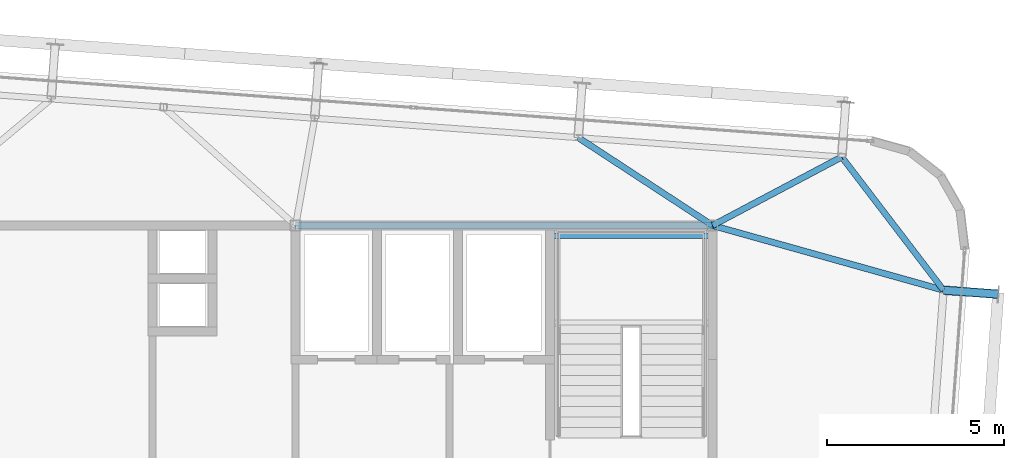
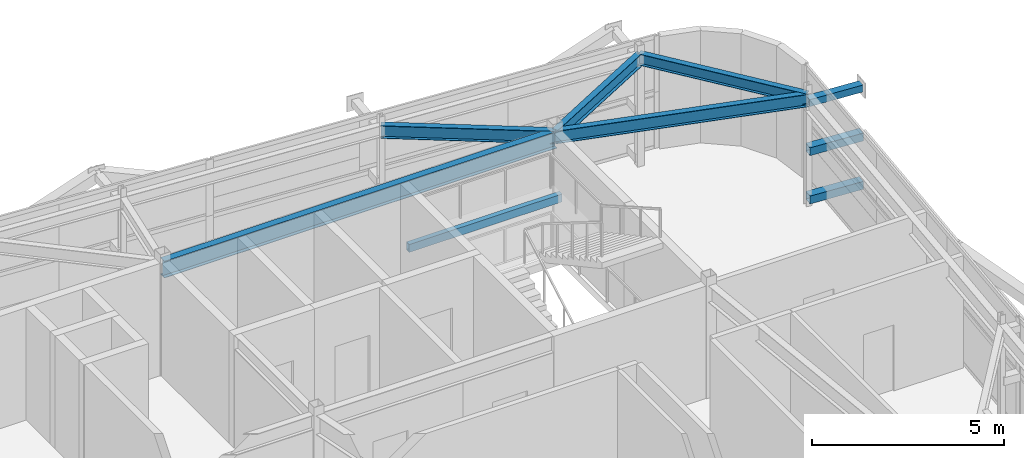
# One storey, part 18 of 35: 6 beams, 3 members.
"""IFC4 building model written with IfcOpenShell, lengths in metres."""

from ifc_helpers import new_model, si_unit, direction, frame, origin, origin_2d, place, context, subcontext, project, spatial, hollow_rectangle, i_section, extrude, source, transform, mapped, material, material_profile, profile_set, type_object, element, save


model = new_model("IFC4")

# Units and contexts
model_context = context("Model", 3, precision=1e-05, world=origin(), true_north=direction((0.0, 1.0)))
body_context = subcontext(model_context, "Body", "Model", "MODEL_VIEW")
ifc_project = project(units=[si_unit("LENGTHUNIT", "METRE"), si_unit("AREAUNIT", "SQUARE_METRE"), si_unit("VOLUMEUNIT", "CUBIC_METRE"), si_unit("PLANEANGLEUNIT", "RADIAN"), si_unit("MASSUNIT", "GRAM", prefix="KILO")], contexts=[model_context])

# Site, building, storey
site_placement = place(None, origin())
site = spatial("IfcSite", under=ifc_project, at=site_placement, CompositionType="ELEMENT")
building_placement = place(site_placement, origin())
building = spatial("IfcBuilding", under=site, at=building_placement, Name="Taldren Reach Tower", CompositionType="ELEMENT")
storey_placement = place(building_placement, frame((0.0, 0.0, 249.199951171875)))
storey = spatial("IfcBuildingStorey", under=building, at=storey_placement, Name="L76", CompositionType="ELEMENT", Elevation=249.199951171875)

# Beams
ifc_material_1 = material(Name="Steel Gr 350 (350PLUS)", Category="steel")
ifc_material_profile_1 = material_profile(ifc_material_1, i_section(OverallWidth=0.208984375, OverallDepth=0.532958984375, WebThickness=0.01025390625, FlangeThickness=0.015625, at=origin_2d()), Name="530UB92.4")
ifc_profile_set_1 = profile_set([ifc_material_profile_1], Name="Steel Gr 350 (350PLUS)")
beam_type_1 = type_object("IfcBeamType", Name="BM-UB530A", PredefinedType="BEAM", material=ifc_profile_set_1)
shared_shape_1 = source(origin(), body_context, "Body", "SweptSolid", [
    extrude(i_section(OverallWidth=0.208984375, OverallDepth=0.532958984375, WebThickness=0.01025390625, FlangeThickness=0.015625, at=origin_2d()), origin(), (0.0, 0.0, 1.0), 11.800048828125),
])
beam_1_placement = place(storey_placement, frame((39.199951171875, 32.0, 3.303466796875), z_axis=(1.0, 0.0, 0.0), x_axis=(0.0, 1.0, 0.0)))
element("IfcBeam", 1, at=beam_1_placement, inside=storey, type_object=beam_type_1, Name="Core-spine girder L76-SP06", PredefinedType="BEAM", context=body_context, shape_type="MappedRepresentation", body=[
    mapped(shared_shape_1, transform((0.0, 0.0, 0.0), scale=1.0)),
])
ifc_material_profile_2 = material_profile(ifc_material_1, i_section(OverallWidth=0.172119140625, OverallDepth=0.35888671875, WebThickness=0.008056640625, FlangeThickness=0.012939453125, at=origin_2d()), Name="360UB56.7")
ifc_profile_set_2 = profile_set([ifc_material_profile_2], Name="Steel Gr 350 (350PLUS)")
beam_type_2 = type_object("IfcBeamType", Name="SP-UB360", PredefinedType="SPANDREL", material=ifc_profile_set_2)
shared_shape_2 = source(origin(), body_context, "Body", "SweptSolid", [
    extrude(i_section(OverallWidth=0.172119140625, OverallDepth=0.35888671875, WebThickness=0.008056640625, FlangeThickness=0.012939453125, at=origin_2d()), origin(), (0.0, 0.0, 1.0), 4.745849609375),
])
beam_2_placement = place(storey_placement, frame((57.540771484375, 30.168701171875, 3.390625), z_axis=(-0.607136906115, 0.79459724215, 0.0), x_axis=(-0.79459724215, -0.607136906115, 0.0)))
element("IfcBeam", 2, at=beam_2_placement, inside=storey, type_object=beam_type_2, Name="Perimeter spandrel B5 E3-N6 L76", PredefinedType="SPANDREL", context=body_context, shape_type="MappedRepresentation", body=[
    mapped(shared_shape_2, transform((0.0, 0.0, 0.0), scale=1.0)),
])
ifc_material_profile_3 = material_profile(ifc_material_1, i_section(OverallWidth=0.177978515625, OverallDepth=0.406005859375, WebThickness=0.0078125, FlangeThickness=0.0126953125, at=origin_2d()), Name="410UB59.7")
ifc_profile_set_3 = profile_set([ifc_material_profile_3], Name="Steel Gr 350 (350PLUS)")
beam_type_3 = type_object("IfcBeamType", Name="BM-UB410", PredefinedType="BEAM", material=ifc_profile_set_3)
shared_shape_3 = source(origin(), body_context, "Body", "SweptSolid", [
    extrude(i_section(OverallWidth=0.177978515625, OverallDepth=0.406005859375, WebThickness=0.0078125, FlangeThickness=0.0126953125, at=origin_2d()), origin(), (0.0, 0.0, 1.0), 6.792236328125),
])
beam_3_placement = place(storey_placement, frame((51.0, 32.0, 3.366943359375), z_axis=(0.962968499215, -0.269613926789, 0.0), x_axis=(0.269613926789, 0.962968499215, 0.0)))
element("IfcBeam", 3, at=beam_3_placement, inside=storey, type_object=beam_type_3, Name="Primary floor girder B5-E3 L76", PredefinedType="BEAM", context=body_context, shape_type="MappedRepresentation", body=[
    mapped(shared_shape_3, transform((0.0, 0.0, 0.0), scale=1.0)),
])
shared_shape_4 = source(origin(), body_context, "Body", "SweptSolid", [
    extrude(i_section(OverallWidth=0.177978515625, OverallDepth=0.406005859375, WebThickness=0.0078125, FlangeThickness=0.0126953125, at=origin_2d()), origin(), (0.0, 0.0, 1.0), 4.1416015625),
])
beam_4_placement = place(storey_placement, frame((51.0, 32.0, 3.366943359375), z_axis=(0.883552655042, 0.468331832965, 0.0), x_axis=(-0.468331832965, 0.883552655042, 0.0)))
element("IfcBeam", 4, at=beam_4_placement, inside=storey, type_object=beam_type_3, Name="Primary floor girder B5-N6 L76", PredefinedType="BEAM", context=body_context, shape_type="MappedRepresentation", body=[
    mapped(shared_shape_4, transform((0.0, 0.0, 0.0), scale=1.0)),
])
shared_shape_5 = source(origin(), body_context, "Body", "SweptSolid", [
    extrude(i_section(OverallWidth=0.177978515625, OverallDepth=0.406005859375, WebThickness=0.0078125, FlangeThickness=0.0126953125, at=origin_2d()), origin(), (0.0, 0.0, 1.0), 4.542236328125),
])
beam_5_placement = place(storey_placement, frame((51.0, 32.0, 3.366943359375), z_axis=(-0.836709129479, 0.547647544181, 0.0), x_axis=(-0.547647544181, -0.836709129479, 0.0)))
element("IfcBeam", 5, at=beam_5_placement, inside=storey, type_object=beam_type_3, Name="Primary floor girder B5-N5 L76", PredefinedType="BEAM", context=body_context, shape_type="MappedRepresentation", body=[
    mapped(shared_shape_5, transform((0.0, 0.0, 0.0), scale=1.0)),
])

# Members
ifc_material_2 = material(Name="Steel Gr 450 (C450L0)", Category="steel")
ifc_material_profile_4 = material_profile(ifc_material_2, hollow_rectangle(XDim=0.219970703125, YDim=0.219970703125, WallThickness=0.00830078125, at=origin_2d()), Name="220x220x8.2SHS")
ifc_profile_set_4 = profile_set([ifc_material_profile_4], Name="Steel Gr 450 (C450L0)")
member_type_1 = type_object("IfcMemberType", Name="MB-TIE219", PredefinedType="STRUT", material=ifc_profile_set_4)
shared_shape_6 = source(origin(), body_context, "Body", "SweptSolid", [
    extrude(hollow_rectangle(XDim=0.219970703125, YDim=0.219970703125, WallThickness=0.00830078125, at=origin_2d()), origin(), (0.0, 0.0, 1.0), 1.5458984375),
])
member_placement = place(storey_placement, frame((57.544921875, 30.168212890625, 3.2900390625), z_axis=(0.99732305975, -0.073121231459, 0.0), x_axis=(0.073121231459, 0.99732305975, 0.0)))
element("IfcMember", 6, at=member_placement, inside=storey, type_object=member_type_1, Name="Exoskeleton diaphragm tie strut B5-E3 L76", PredefinedType="STRUT", context=body_context, shape_type="MappedRepresentation", body=[
    mapped(shared_shape_6, transform((0.0, 0.0, 0.0), scale=1.0)),
])
ifc_material_3 = material(Name="Steel Gr 350 (C350L0)", Category="steel")
ifc_material_profile_5 = material_profile(ifc_material_3, hollow_rectangle(XDim=0.25, YDim=0.25, WallThickness=0.010009765625, at=origin_2d()), Name="250x250x10.0SHS")
ifc_profile_set_5 = profile_set([ifc_material_profile_5], Name="Steel Gr 350 (C350L0)")
member_type_2 = type_object("IfcMemberType", Name="MB-POST250", PredefinedType="POST", material=ifc_profile_set_5)
shared_shape_7 = source(origin(), body_context, "Body", "SweptSolid", [
    extrude(hollow_rectangle(XDim=0.25, YDim=0.25, WallThickness=0.010009765625, at=origin_2d()), origin(), (0.0, 0.0, 1.0), 1.5458984375),
])
for number, where, z_axis, x_axis, name in (
    (7, (57.544921875, 30.168212890625, 0.219970703125), (0.99732305975, -0.073121231459, 0.0), (0.073121231459, 0.99732305975, 0.0), "Exoskeleton base diaphragm tie strut B5-E3 L76"),
    (8, (57.544921875, 30.168212890625, 1.755126953125), (0.99732305975, -0.073121231459, 0.0), (0.073121231459, 0.99732305975, 0.0), "Exoskeleton mid-tier diaphragm tie B5-E3 L76"),
):
    element("IfcMember", number, at=place(storey_placement, frame(where, z_axis=z_axis, x_axis=x_axis)), inside=storey, type_object=member_type_2, Name=name, PredefinedType="POST", context=body_context, shape_type="MappedRepresentation", body=[
        mapped(shared_shape_7, transform((0.0, 0.0, 0.0), scale=1.0)),
    ])

# Beam
ifc_material_profile_6 = material_profile(ifc_material_3, hollow_rectangle(XDim=0.14990234375, YDim=0.25, WallThickness=0.009033203125, at=origin_2d()), Name="250x150x9.0RHS")
ifc_profile_set_6 = profile_set([ifc_material_profile_6], Name="Steel Gr 350 (C350L0)")
beam_type_4 = type_object("IfcBeamType", Name="LN-RHS250", PredefinedType="LINTEL", material=ifc_profile_set_6)
shared_shape_8 = source(origin(), body_context, "Body", "SweptSolid", [
    extrude(hollow_rectangle(XDim=0.14990234375, YDim=0.25, WallThickness=0.009033203125, at=origin_2d()), origin(), (0.0, 0.0, 1.0), 4.60009765625),
])
beam_6_placement = place(storey_placement, frame((46.39990234375, 31.699951171875, 1.6201171875), z_axis=(1.0, 0.0, 0.0), x_axis=(0.0, 1.0, 0.0)))
element("IfcBeam", 9, at=beam_6_placement, inside=storey, type_object=beam_type_4, Name="Stair half-landing support beam ST2-L76-2", PredefinedType="LINTEL", context=body_context, shape_type="MappedRepresentation", body=[
    mapped(shared_shape_8, transform((0.0, 0.0, 0.0), scale=1.0)),
])

save(model, "model.ifc")
